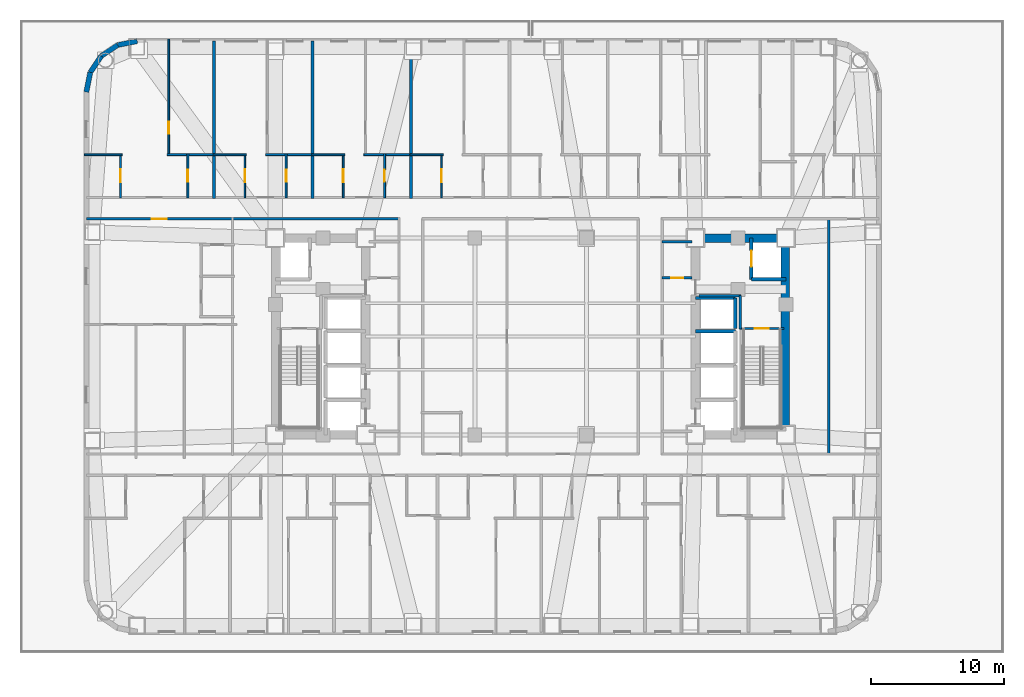
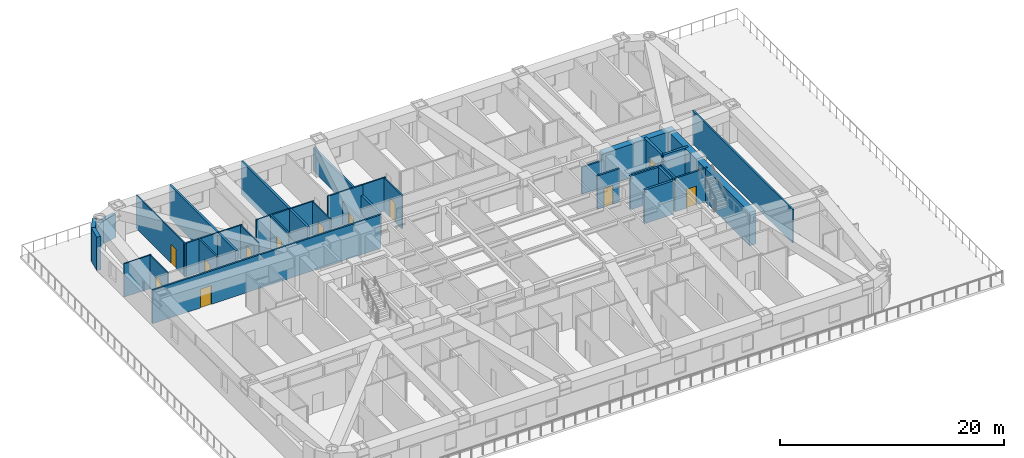
# One storey, part 7 of 15: 36 walls, 12 doors, 12 openings.
"""IFC4 building model written with IfcOpenShell, lengths in metres."""

from ifc_helpers import new_model, si_unit, direction, frame, frame_2d, origin, place, context, subcontext, project, spatial, rectangle, extrude, material, layer, layer_set, type_object, element, fill, save


model = new_model("IFC4")

# Units and contexts
model_context = context("Model", 3, precision=1e-05, world=origin(), true_north=direction((0.0, 1.0)))
body_context = subcontext(model_context, "Body", "Model", "MODEL_VIEW")
ifc_project = project(units=[si_unit("LENGTHUNIT", "METRE"), si_unit("AREAUNIT", "SQUARE_METRE"), si_unit("VOLUMEUNIT", "CUBIC_METRE"), si_unit("PLANEANGLEUNIT", "RADIAN"), si_unit("MASSUNIT", "GRAM", prefix="KILO")], contexts=[model_context])

# Site, building, storey
site_placement = place(None, origin())
site = spatial("IfcSite", under=ifc_project, at=site_placement, CompositionType="ELEMENT")
building_placement = place(site_placement, origin())
building = spatial("IfcBuilding", under=site, at=building_placement, Name="Voryun Gate Residences", CompositionType="ELEMENT")
storey_placement = place(building_placement, frame((0.0, 0.0, 26.0)))
storey = spatial("IfcBuildingStorey", under=building, at=storey_placement, Name="L05", CompositionType="ELEMENT", Elevation=26.0)

# Walls
ifc_material_1 = material(Name="Concrete C60/75", Category="concrete")
ifc_layer_1 = layer(ifc_material_1, 0.64990234375, Name="CW_CORE_650")
ifc_layer_set_1 = layer_set([ifc_layer_1], Name="Concrete C60/75")
wall_type_1 = type_object("IfcWallType", Name="CW_CORE_650", PredefinedType="SHEAR", material=ifc_layer_set_1)
wall_1_placement = place(storey_placement, frame((12.074951171875, 7.39990234375, 0.0), z_axis=(0.0, 0.0, 1.0), x_axis=(1.0, 0.0, 0.0)))
element("IfcWall", 1, at=wall_1_placement, inside=storey, type_object=wall_type_1, Name="L05 Core shear wall CW-L05-EN", PredefinedType="SHEAR", context=body_context, shape_type="SweptSolid", body=[
    extrude(rectangle(XDim=7.449951171875, YDim=0.64990234375, at=frame_2d((3.72509765625, 0.0))), origin(), (0.0, 0.0, 1.0), 3.64990234375),
])
wall_2_placement = place(storey_placement, frame((19.14501953125, -7.39990234375, 0.0), z_axis=(0.0, 0.0, 1.0), x_axis=(0.0, 1.0, 0.0)))
element("IfcWall", 2, at=wall_2_placement, inside=storey, type_object=wall_type_1, Name="L05 Core shear wall CW-L05-EE", PredefinedType="SHEAR", context=body_context, shape_type="SweptSolid", body=[
    extrude(rectangle(XDim=14.7998046875, YDim=0.64990234375, at=frame_2d((7.39990234375, 0.0))), origin(), (0.0, 0.0, 1.0), 3.64990234375),
])

# Wall, opening, door
ifc_material_2 = material(Name="Gypsum acoustic fireboard")
ifc_layer_2 = layer(ifc_material_2, 0.179931640625, Name="W_CORR_RATED_180")
ifc_layer_set_2 = layer_set([ifc_layer_2], Name="Gypsum acoustic fireboard")
wall_type_2 = type_object("IfcWallType", Name="W_CORR_RATED_180", PredefinedType="PARTITIONING", material=ifc_layer_set_2)
wall_3_placement = place(storey_placement, frame((15.699951171875, 0.60009765625, 0.0), z_axis=(0.0, 0.0, 1.0), x_axis=(1.0, 0.0, 0.0)))
wall_3 = element("IfcWall", 3, at=wall_3_placement, inside=storey, type_object=wall_type_2, Name="Partition wall WP-L05-STV-E", PredefinedType="PARTITIONING", context=body_context, shape_type="SweptSolid", body=[
    extrude(rectangle(XDim=3.360107421875, YDim=0.179931640625, at=frame_2d((1.68017578125, 0.0))), origin(), (0.0, 0.0, 1.0), 3.64990234375),
])
opening_1_placement = place(wall_3_placement, frame((1.155029296875, 0.0, 0.0)))
opening_1 = element("IfcOpeningElement", 4, at=opening_1_placement, cuts=wall_3, Name="Opening D-FD60-1", PredefinedType="OPENING", context=body_context, shape_type="SweptSolid", body=[
    extrude(rectangle(XDim=1.050048828125, YDim=2.050048828125, at=frame_2d((0.52490234375, 1.02490234375))), frame((0.0, 0.099853515625, 0.0), z_axis=(0.0, -1.0, 0.0), x_axis=(1.0, 0.0, 0.0)), (0.0, 0.0, 1.0), 0.199951171875),
])
ifc_material_3 = material(Name="Painted steel fire door", Category="steel")
door_type_1 = type_object("IfcDoorType", Name="DR_FD60_STAIR_1050", OperationType="NOTDEFINED", PredefinedType="DOOR", material=ifc_material_3)
door_1_placement = place(opening_1_placement, origin())
door_1 = element("IfcDoor", 5, at=door_1_placement, inside=storey, type_object=door_type_1, Name="Door DR-L05-ST-E", OperationType="SINGLE_SWING_RIGHT", OverallHeight=2.050048828125, OverallWidth=1.050048828125, PredefinedType="DOOR", context=body_context, shape_type="SweptSolid", body=[
    extrude(rectangle(XDim=1.050048828125, YDim=2.050048828125, at=frame_2d((0.52490234375, 1.02490234375))), frame((0.0, 0.02490234375, 0.0), z_axis=(0.0, -1.0, 0.0), x_axis=(1.0, 0.0, 0.0)), (0.0, 0.0, 1.0), 0.050048828125),
])
fill(opening_1, door_1)

# Wall
wall_4_placement = place(storey_placement, frame((9.8798828125, 7.1201171875, 0.0), z_axis=(0.0, 0.0, 1.0), x_axis=(1.0, 0.0, 0.0)))
element("IfcWall", 6, at=wall_4_placement, inside=storey, type_object=wall_type_2, Name="Partition wall WP-L05-PLBN-E", PredefinedType="PARTITIONING", context=body_context, shape_type="SweptSolid", body=[
    extrude(rectangle(XDim=2.27001953125, YDim=0.179931640625, at=frame_2d((1.135009765625, 0.0))), origin(), (0.0, 0.0, 1.0), 2.93994140625),
])

# Wall, opening, door
wall_5_placement = place(storey_placement, frame((-33.409912109375, 8.840087890625, 0.0), z_axis=(0.0, 0.0, 1.0), x_axis=(1.0, 0.0, 0.0)))
wall_5 = element("IfcWall", 7, at=wall_5_placement, inside=storey, type_object=wall_type_2, Name="Partition wall WP-L05-CWING-WN", PredefinedType="PARTITIONING", context=body_context, shape_type="SweptSolid", body=[
    extrude(rectangle(XDim=23.530029296875, YDim=0.179931640625, at=frame_2d((11.76513671875, 0.0))), origin(), (0.0, 0.0, 1.0), 3.64990234375),
])
opening_2_placement = place(wall_5_placement, frame((4.91455078125, 0.0, 0.0)))
opening_2 = element("IfcOpeningElement", 8, at=opening_2_placement, cuts=wall_5, Name="Opening D-UNIT-1", PredefinedType="OPENING", context=body_context, shape_type="SweptSolid", body=[
    extrude(rectangle(XDim=1.14990234375, YDim=2.050048828125, at=frame_2d((0.574951171875, 1.02490234375))), frame((0.0, 0.099853515625, 0.0), z_axis=(0.0, -1.0, 0.0), x_axis=(1.0, 0.0, 0.0)), (0.0, 0.0, 1.0), 0.199951171875),
])
ifc_material_4 = material(Name="Armoured timber-clad fire door", Category="wood")
door_type_2 = type_object("IfcDoorType", Name="DR_UNIT_ENTRY_1150", OperationType="NOTDEFINED", PredefinedType="DOOR", material=ifc_material_4)
door_2_placement = place(opening_2_placement, origin())
door_2 = element("IfcDoor", 9, at=door_2_placement, inside=storey, type_object=door_type_2, Name="Door DR-L05-WE1N", OperationType="SINGLE_SWING_LEFT", OverallHeight=2.050048828125, OverallWidth=1.14990234375, PredefinedType="DOOR", context=body_context, shape_type="SweptSolid", body=[
    extrude(rectangle(XDim=1.14990234375, YDim=2.050048828125, at=frame_2d((0.574951171875, 1.02490234375))), frame((0.0, 0.02490234375, 0.0), z_axis=(0.0, -1.0, 0.0), x_axis=(1.0, 0.0, 0.0)), (0.0, 0.0, 1.0), 0.050048828125),
])
fill(opening_2, door_2)

# Walls
wall_6_placement = place(storey_placement, frame((22.419921875, -8.929931640625, 0.0), z_axis=(0.0, 0.0, 1.0), x_axis=(0.0, 1.0, 0.0)))
element("IfcWall", 10, at=wall_6_placement, inside=storey, type_object=wall_type_2, Name="Partition wall WP-L05-EEND", PredefinedType="PARTITIONING", context=body_context, shape_type="SweptSolid", body=[
    extrude(rectangle(XDim=17.85986328125, YDim=0.179931640625, at=frame_2d((8.929931640625, 0.0))), origin(), (0.0, 0.0, 1.0), 3.64990234375),
])
ifc_material_5 = material(Name="Granite masonry", Category="masonry")
ifc_layer_3 = layer(ifc_material_5, 0.3798828125, Name="W_EXT_GRANITE_380")
ifc_layer_set_3 = layer_set([ifc_layer_3], Name="Granite masonry")
wall_type_3 = type_object("IfcWallType", Name="W_EXT_GRANITE_380", PredefinedType="ELEMENTEDWALL", material=ifc_layer_set_3)
wall_7_placement = place(storey_placement, frame((-33.409912109375, 18.38134765625, 0.0), z_axis=(0.0, 0.0, 1.0), x_axis=(0.195086038585, 0.980786132421, 0.0)))
element("IfcWall", 11, at=wall_7_placement, inside=storey, type_object=wall_type_3, Name="Exterior wall WEXT-L05-07", PredefinedType="ELEMENTEDWALL", context=body_context, shape_type="SweptSolid", body=[
    extrude(rectangle(XDim=1.504150390625, YDim=0.3798828125, at=frame_2d((0.751953125, 0.0))), origin(), (0.0, 0.0, 1.0), 3.64990234375),
])
wall_8_placement = place(storey_placement, frame((-33.116455078125, 19.856689453125, 0.0), z_axis=(0.0, 0.0, 1.0), x_axis=(0.555572577804, 0.831468045563, 0.0)))
element("IfcWall", 12, at=wall_8_placement, inside=storey, type_object=wall_type_3, Name="Exterior wall WEXT-L05-08", PredefinedType="ELEMENTEDWALL", context=body_context, shape_type="SweptSolid", body=[
    extrude(rectangle(XDim=1.48486328125, YDim=0.3798828125, at=frame_2d((0.742431640625, 0.0))), origin(), (0.0, 0.0, 1.0), 3.64990234375),
])
wall_9_placement = place(storey_placement, frame((-32.29150390625, 21.09130859375, 0.0), z_axis=(0.0, 0.0, 1.0), x_axis=(0.831442848281, 0.555610286119, 0.0)))
element("IfcWall", 13, at=wall_9_placement, inside=storey, type_object=wall_type_3, Name="Exterior wall WEXT-L05-09", PredefinedType="ELEMENTEDWALL", context=body_context, shape_type="SweptSolid", body=[
    extrude(rectangle(XDim=1.485107421875, YDim=0.3798828125, at=frame_2d((0.74267578125, 0.0))), origin(), (0.0, 0.0, 1.0), 2.5400390625),
])
wall_10_placement = place(storey_placement, frame((-31.056640625, 21.91650390625, 0.0), z_axis=(0.0, 0.0, 1.0), x_axis=(0.980786132421, 0.195086038585, 0.0)))
element("IfcWall", 14, at=wall_10_placement, inside=storey, type_object=wall_type_3, Name="Exterior wall WEXT-L05-10", PredefinedType="ELEMENTEDWALL", context=body_context, shape_type="SweptSolid", body=[
    extrude(rectangle(XDim=1.504150390625, YDim=0.3798828125, at=frame_2d((0.751953125, 0.0))), origin(), (0.0, 0.0, 1.0), 2.5400390625),
])
ifc_material_6 = material(Name="Concrete C40/50", Category="concrete")
ifc_layer_4 = layer(ifc_material_6, 0.199951171875, Name="W_FF_LOBBY_200")
ifc_layer_set_4 = layer_set([ifc_layer_4], Name="Concrete C40/50")
wall_type_4 = type_object("IfcWallType", Name="W_FF_LOBBY_200", PredefinedType="PARTITIONING", material=ifc_layer_set_4)
wall_11_placement = place(storey_placement, frame((15.760009765625, 0.580078125, 0.0), z_axis=(0.0, 0.0, 1.0), x_axis=(0.0, 1.0, 0.0)))
element("IfcWall", 15, at=wall_11_placement, inside=storey, type_object=wall_type_4, Name="Partition wall WP-L05-FFP0-E", PredefinedType="PARTITIONING", context=body_context, shape_type="SweptSolid", body=[
    extrude(rectangle(XDim=2.52001953125, YDim=0.199951171875, at=frame_2d((1.260009765625, 0.0))), origin(), (0.0, 0.0, 1.0), 3.64990234375),
])
wall_12_placement = place(storey_placement, frame((12.659912109375, 3.06005859375, 0.0), z_axis=(0.0, 0.0, 1.0), x_axis=(1.0, 0.0, 0.0)))
element("IfcWall", 16, at=wall_12_placement, inside=storey, type_object=wall_type_4, Name="Partition wall WP-L05-FFPS-E", PredefinedType="PARTITIONING", context=body_context, shape_type="SweptSolid", body=[
    extrude(rectangle(XDim=3.16015625, YDim=0.199951171875, at=frame_2d((1.580078125, 0.0))), origin(), (0.0, 0.0, 1.0), 3.64990234375),
])

# Wall, opening, door
wall_13_placement = place(storey_placement, frame((9.8798828125, 4.409912109375, 0.0), z_axis=(0.0, 0.0, 1.0), x_axis=(1.0, 0.0, 0.0)))
wall_13 = element("IfcWall", 17, at=wall_13_placement, inside=storey, type_object=wall_type_4, Name="Partition wall WP-L05-CSFLKS-E", PredefinedType="PARTITIONING", context=body_context, shape_type="SweptSolid", body=[
    extrude(rectangle(XDim=2.27001953125, YDim=0.199951171875, at=frame_2d((1.135009765625, 0.0))), origin(), (0.0, 0.0, 1.0), 3.64990234375),
])
opening_3_placement = place(wall_13_placement, frame((0.68505859375, 0.0, 0.0)))
opening_3 = element("IfcOpeningElement", 18, at=opening_3_placement, cuts=wall_13, Name="Opening D-FD60-4", PredefinedType="OPENING", context=body_context, shape_type="SweptSolid", body=[
    extrude(rectangle(XDim=0.89990234375, YDim=2.050048828125, at=frame_2d((0.449951171875, 1.02490234375))), frame((0.0, 0.110107421875, 0.0), z_axis=(0.0, -1.0, 0.0), x_axis=(1.0, 0.0, 0.0)), (0.0, 0.0, 1.0), 0.219970703125),
])
ifc_material_7 = material(Name="Painted steel fire door", Category="steel")
door_type_3 = type_object("IfcDoorType", Name="DR_FD60_RISER_900", OperationType="NOTDEFINED", PredefinedType="DOOR", material=ifc_material_7)
door_3_placement = place(opening_3_placement, origin())
door_3 = element("IfcDoor", 19, at=door_3_placement, inside=storey, type_object=door_type_3, Name="Door DR-L05-CSFLK-E", OperationType="SINGLE_SWING_RIGHT", OverallHeight=2.050048828125, OverallWidth=0.89990234375, PredefinedType="DOOR", context=body_context, shape_type="SweptSolid", body=[
    extrude(rectangle(XDim=0.89990234375, YDim=2.050048828125, at=frame_2d((0.449951171875, 1.02490234375))), frame((0.0, 0.02490234375, 0.0), z_axis=(0.0, -1.0, 0.0), x_axis=(1.0, 0.0, 0.0)), (0.0, 0.0, 1.0), 0.050048828125),
])
fill(opening_3, door_3)

# Walls
ifc_material_8 = material(Name="Concrete C40/50", Category="concrete")
ifc_layer_5 = layer(ifc_material_8, 0.219970703125, Name="W_PARTY_ACOUSTIC_220")
ifc_layer_set_5 = layer_set([ifc_layer_5], Name="Concrete C40/50")
wall_type_5 = type_object("IfcWallType", Name="W_PARTY_ACOUSTIC_220", PredefinedType="PARTITIONING", material=ifc_layer_set_5)
for number, where, z_axis, x_axis, name in (
    (20, (-23.800048828125, 10.3701171875, 0.0), (0.0, 0.0, 1.0), (0.0, 1.0, 0.0), "Partition wall WP-L05-NPTY-1"),
    (21, (-16.39990234375, 10.3701171875, 0.0), (0.0, 0.0, 1.0), (0.0, 1.0, 0.0), "Partition wall WP-L05-NPTY-2"),
):
    element("IfcWall", number, at=place(storey_placement, frame(where, z_axis=z_axis, x_axis=x_axis)), inside=storey, type_object=wall_type_5, Name=name, PredefinedType="PARTITIONING", context=body_context, shape_type="SweptSolid", body=[
        extrude(rectangle(XDim=11.83984375, YDim=0.219970703125, at=frame_2d((5.919921875, 0.0))), origin(), (0.0, 0.0, 1.0), 3.64990234375),
    ])
wall_14_placement = place(storey_placement, frame((-9.0, 10.3701171875, 0.0), z_axis=(0.0, 0.0, 1.0), x_axis=(0.0, 1.0, 0.0)))
element("IfcWall", 22, at=wall_14_placement, inside=storey, type_object=wall_type_5, Name="Partition wall WP-L05-NPTY-3", PredefinedType="PARTITIONING", context=body_context, shape_type="SweptSolid", body=[
    extrude(rectangle(XDim=11.83984375, YDim=0.219970703125, at=frame_2d((5.919921875, 0.0))), origin(), (0.0, 0.0, 1.0), 2.5400390625),
])
ifc_material_9 = material(Name="Concrete C50/60", Category="concrete")
ifc_layer_6 = layer(ifc_material_9, 0.25, Name="W_SHAFT_RC250")
ifc_layer_set_6 = layer_set([ifc_layer_6], Name="Concrete C50/60")
wall_type_6 = type_object("IfcWallType", Name="W_SHAFT_RC250", PredefinedType="SOLIDWALL", material=ifc_layer_set_6)
wall_15_placement = place(storey_placement, frame((16.60009765625, 4.300048828125, 0.0), z_axis=(0.0, 0.0, 1.0), x_axis=(1.0, 0.0, 0.0)))
element("IfcWall", 23, at=wall_15_placement, inside=storey, type_object=wall_type_6, Name="Lift shaft wall WSH-L05-EL-FF-E1-S", PredefinedType="SOLIDWALL", context=body_context, shape_type="SweptSolid", body=[
    extrude(rectangle(XDim=2.599853515625, YDim=0.25, at=frame_2d((1.2998046875, 0.0))), origin(), (0.0, 0.0, 1.0), 3.64990234375),
])

# Wall, opening, door
wall_16_placement = place(storey_placement, frame((16.60009765625, 7.39990234375, 0.0), z_axis=(0.0, 0.0, 1.0), x_axis=(0.0, -1.0, 0.0)))
wall_16 = element("IfcWall", 24, at=wall_16_placement, inside=storey, type_object=wall_type_6, Name="Lift shaft wall WSH-L05-EL-FF-E1-W", PredefinedType="SOLIDWALL", context=body_context, shape_type="SweptSolid", body=[
    extrude(rectangle(XDim=3.099853515625, YDim=0.25, at=frame_2d((1.5498046875, 0.0))), origin(), (0.0, 0.0, 1.0), 3.64990234375),
])
opening_4_placement = place(wall_16_placement, frame((0.949951171875, 0.0, 0.0)))
opening_4 = element("IfcOpeningElement", 25, at=opening_4_placement, cuts=wall_16, Name="Opening LD1", PredefinedType="OPENING", context=body_context, shape_type="SweptSolid", body=[
    extrude(rectangle(XDim=1.199951171875, YDim=2.050048828125, at=frame_2d((0.60009765625, 1.02490234375))), frame((0.0, 0.135009765625, 0.0), z_axis=(0.0, -1.0, 0.0), x_axis=(1.0, 0.0, 0.0)), (0.0, 0.0, 1.0), 0.27001953125),
])
ifc_material_10 = material(Name="Anodised aluminium", Category="aluminium")
door_type_4 = type_object("IfcDoorType", Name="DR_LD_FF_1200", OperationType="NOTDEFINED", PredefinedType="DOOR", material=ifc_material_10)
door_4_placement = place(opening_4_placement, origin())
door_4 = element("IfcDoor", 26, at=door_4_placement, inside=storey, type_object=door_type_4, Name="Lift EL-FF-E1 sliding landing door L05", OperationType="SLIDING_TO_LEFT", OverallHeight=2.050048828125, OverallWidth=1.199951171875, PredefinedType="DOOR", context=body_context, shape_type="SweptSolid", body=[
    extrude(rectangle(XDim=1.199951171875, YDim=2.050048828125, at=frame_2d((0.60009765625, 1.02490234375))), frame((0.0, 0.02490234375, 0.0), z_axis=(0.0, -1.0, 0.0), x_axis=(1.0, 0.0, 0.0)), (0.0, 0.0, 1.0), 0.050048828125),
])
fill(opening_4, door_4)

# Walls
wall_17_placement = place(storey_placement, frame((15.39990234375, 0.39990234375, 0.0), z_axis=(0.0, 0.0, 1.0), x_axis=(-1.0, 0.0, 0.0)))
element("IfcWall", 27, at=wall_17_placement, inside=storey, type_object=wall_type_6, Name="Lift shaft wall WSH-L05-EL-P6-N", PredefinedType="SOLIDWALL", context=body_context, shape_type="SweptSolid", body=[
    extrude(rectangle(XDim=3.0, YDim=0.25, at=frame_2d((1.5, 0.0))), origin(), (0.0, 0.0, 1.0), 3.64990234375),
])
wall_18_placement = place(storey_placement, frame((15.39990234375, 0.60009765625, 0.0), z_axis=(0.0, 0.0, 1.0), x_axis=(0.0, 1.0, 0.0)))
element("IfcWall", 28, at=wall_18_placement, inside=storey, type_object=wall_type_6, Name="Lift shaft wall WSH-L05-EL-P8-E", PredefinedType="SOLIDWALL", context=body_context, shape_type="SweptSolid", body=[
    extrude(rectangle(XDim=2.2998046875, YDim=0.25, at=frame_2d((1.14990234375, 0.0))), origin(), (0.0, 0.0, 1.0), 3.64990234375),
])
wall_19_placement = place(storey_placement, frame((15.39990234375, 2.89990234375, 0.0), z_axis=(0.0, 0.0, 1.0), x_axis=(-1.0, 0.0, 0.0)))
element("IfcWall", 29, at=wall_19_placement, inside=storey, type_object=wall_type_6, Name="Lift shaft wall WSH-L05-EL-P8-N", PredefinedType="SOLIDWALL", context=body_context, shape_type="SweptSolid", body=[
    extrude(rectangle(XDim=3.0, YDim=0.25, at=frame_2d((1.5, 0.0))), origin(), (0.0, 0.0, 1.0), 3.64990234375),
])

# Wall, opening, door
ifc_material_11 = material(Name="Gypsum acoustic partition")
ifc_layer_7 = layer(ifc_material_11, 0.125, Name="W_UNIT_PART_125")
ifc_layer_set_7 = layer_set([ifc_layer_7], Name="Gypsum acoustic partition")
wall_type_7 = type_object("IfcWallType", Name="W_UNIT_PART_125", PredefinedType="PARTITIONING", material=ifc_layer_set_7)
wall_20_placement = place(storey_placement, frame((-27.2099609375, 13.590087890625, 0.0), z_axis=(0.0, 0.0, 1.0), x_axis=(0.0, 1.0, 0.0)))
wall_20 = element("IfcWall", 30, at=wall_20_placement, inside=storey, type_object=wall_type_7, Name="Partition wall WP-L05-N1-OVR", PredefinedType="PARTITIONING", context=body_context, shape_type="SweptSolid", body=[
    extrude(rectangle(XDim=8.77001953125, YDim=0.125, at=frame_2d((4.385009765625, 0.0))), origin(), (0.0, 0.0, 1.0), 3.64990234375),
])
opening_5_placement = place(wall_20_placement, frame((1.65478515625, 0.0, 0.0)))
opening_5 = element("IfcOpeningElement", 31, at=opening_5_placement, cuts=wall_20, Name="Opening D-INT-2", PredefinedType="OPENING", context=body_context, shape_type="SweptSolid", body=[
    extrude(rectangle(XDim=0.89990234375, YDim=2.050048828125, at=frame_2d((0.449951171875, 1.02490234375))), frame((0.0, 0.072509765625, 0.0), z_axis=(0.0, -1.0, 0.0), x_axis=(1.0, 0.0, 0.0)), (0.0, 0.0, 1.0), 0.14501953125),
])
ifc_material_12 = material(Name="Architectural oak veneer")
door_type_5 = type_object("IfcDoorType", Name="DR_INT_BATH_900", OperationType="NOTDEFINED", PredefinedType="DOOR", material=ifc_material_12)
door_5_placement = place(opening_5_placement, origin())
door_5 = element("IfcDoor", 32, at=door_5_placement, inside=storey, type_object=door_type_5, Name="Door DR-L05-N1-DMB", OperationType="SINGLE_SWING_RIGHT", OverallHeight=2.050048828125, OverallWidth=0.89990234375, PredefinedType="DOOR", context=body_context, shape_type="SweptSolid", body=[
    extrude(rectangle(XDim=0.89990234375, YDim=2.050048828125, at=frame_2d((0.449951171875, 1.02490234375))), frame((0.0, 0.02490234375, 0.0), z_axis=(0.0, -1.0, 0.0), x_axis=(1.0, 0.0, 0.0)), (0.0, 0.0, 1.0), 0.050048828125),
])
fill(opening_5, door_5)

wall_21_placement = place(storey_placement, frame((-30.8369140625, 10.429931640625, 0.0), z_axis=(0.0, 0.0, 1.0), x_axis=(0.0, 1.0, 0.0)))
wall_21 = element("IfcWall", 33, at=wall_21_placement, inside=storey, type_object=wall_type_7, Name="Partition wall WP-L05-N1-IVK", PredefinedType="PARTITIONING", context=body_context, shape_type="SweptSolid", body=[
    extrude(rectangle(XDim=3.320068359375, YDim=0.125, at=frame_2d((1.66015625, 0.0))), origin(), (0.0, 0.0, 1.0), 3.64990234375),
])
opening_6_placement = place(wall_21_placement, frame((1.18505859375, 0.0, 0.0)))
opening_6 = element("IfcOpeningElement", 34, at=opening_6_placement, cuts=wall_21, Name="Opening D-INT-1", PredefinedType="OPENING", context=body_context, shape_type="SweptSolid", body=[
    extrude(rectangle(XDim=0.949951171875, YDim=2.050048828125, at=frame_2d((0.47509765625, 1.02490234375))), frame((0.0, 0.072509765625, 0.0), z_axis=(0.0, -1.0, 0.0), x_axis=(1.0, 0.0, 0.0)), (0.0, 0.0, 1.0), 0.14501953125),
])
ifc_material_13 = material(Name="Architectural oak veneer")
door_type_6 = type_object("IfcDoorType", Name="DR_INT_ROOM_950", OperationType="NOTDEFINED", PredefinedType="DOOR", material=ifc_material_13)
door_6_placement = place(opening_6_placement, origin())
door_6 = element("IfcDoor", 35, at=door_6_placement, inside=storey, type_object=door_type_6, Name="Door DR-L05-N1-DK", OperationType="SINGLE_SWING_LEFT", OverallHeight=2.050048828125, OverallWidth=0.949951171875, PredefinedType="DOOR", context=body_context, shape_type="SweptSolid", body=[
    extrude(rectangle(XDim=0.949951171875, YDim=2.050048828125, at=frame_2d((0.47509765625, 1.02490234375))), frame((0.0, 0.02490234375, 0.0), z_axis=(0.0, -1.0, 0.0), x_axis=(1.0, 0.0, 0.0)), (0.0, 0.0, 1.0), 0.050048828125),
])
fill(opening_6, door_6)

# Wall
wall_22_placement = place(storey_placement, frame((-33.56005859375, 13.669921875, 0.0), z_axis=(0.0, 0.0, 1.0), x_axis=(1.0, 0.0, 0.0)))
element("IfcWall", 36, at=wall_22_placement, inside=storey, type_object=wall_type_7, Name="Partition wall WP-L05-N1-HZK", PredefinedType="PARTITIONING", context=body_context, shape_type="SweptSolid", body=[
    extrude(rectangle(XDim=2.843017578125, YDim=0.125, at=frame_2d((1.42138671875, 0.0))), origin(), (0.0, 0.0, 1.0), 3.64990234375),
])

# Wall, opening, door
wall_23_placement = place(storey_placement, frame((-21.489990234375, 10.429931640625, 0.0), z_axis=(0.0, 0.0, 1.0), x_axis=(0.0, 1.0, 0.0)))
wall_23 = element("IfcWall", 37, at=wall_23_placement, inside=storey, type_object=wall_type_7, Name="Partition wall WP-L05-N2-IVK", PredefinedType="PARTITIONING", context=body_context, shape_type="SweptSolid", body=[
    extrude(rectangle(XDim=3.320068359375, YDim=0.125, at=frame_2d((1.66015625, 0.0))), origin(), (0.0, 0.0, 1.0), 3.64990234375),
])
opening_7_placement = place(wall_23_placement, frame((1.18505859375, 0.0, 0.0)))
opening_7 = element("IfcOpeningElement", 38, at=opening_7_placement, cuts=wall_23, Name="Opening D-INT-1", PredefinedType="OPENING", context=body_context, shape_type="SweptSolid", body=[
    extrude(rectangle(XDim=0.949951171875, YDim=2.050048828125, at=frame_2d((0.47509765625, 1.02490234375))), frame((0.0, 0.072509765625, 0.0), z_axis=(0.0, -1.0, 0.0), x_axis=(1.0, 0.0, 0.0)), (0.0, 0.0, 1.0), 0.14501953125),
])
door_7_placement = place(opening_7_placement, origin())
door_7 = element("IfcDoor", 39, at=door_7_placement, inside=storey, type_object=door_type_6, Name="Door DR-L05-N2-DK", OperationType="SINGLE_SWING_LEFT", OverallHeight=2.050048828125, OverallWidth=0.949951171875, PredefinedType="DOOR", context=body_context, shape_type="SweptSolid", body=[
    extrude(rectangle(XDim=0.949951171875, YDim=2.050048828125, at=frame_2d((0.47509765625, 1.02490234375))), frame((0.0, 0.02490234375, 0.0), z_axis=(0.0, -1.0, 0.0), x_axis=(1.0, 0.0, 0.0)), (0.0, 0.0, 1.0), 0.050048828125),
])
fill(opening_7, door_7)

# Wall
wall_24_placement = place(storey_placement, frame((-23.875, 13.669921875, 0.0), z_axis=(0.0, 0.0, 1.0), x_axis=(1.0, 0.0, 0.0)))
element("IfcWall", 40, at=wall_24_placement, inside=storey, type_object=wall_type_7, Name="Partition wall WP-L05-N2-HZK", PredefinedType="PARTITIONING", context=body_context, shape_type="SweptSolid", body=[
    extrude(rectangle(XDim=2.5048828125, YDim=0.125, at=frame_2d((1.25244140625, 0.0))), origin(), (0.0, 0.0, 1.0), 3.64990234375),
])

# Wall, opening, door
wall_25_placement = place(storey_placement, frame((-14.090087890625, 10.429931640625, 0.0), z_axis=(0.0, 0.0, 1.0), x_axis=(0.0, 1.0, 0.0)))
wall_25 = element("IfcWall", 41, at=wall_25_placement, inside=storey, type_object=wall_type_7, Name="Partition wall WP-L05-N3-IVK", PredefinedType="PARTITIONING", context=body_context, shape_type="SweptSolid", body=[
    extrude(rectangle(XDim=3.320068359375, YDim=0.125, at=frame_2d((1.66015625, 0.0))), origin(), (0.0, 0.0, 1.0), 3.64990234375),
])
opening_8_placement = place(wall_25_placement, frame((1.18505859375, 0.0, 0.0)))
opening_8 = element("IfcOpeningElement", 42, at=opening_8_placement, cuts=wall_25, Name="Opening D-INT-1", PredefinedType="OPENING", context=body_context, shape_type="SweptSolid", body=[
    extrude(rectangle(XDim=0.949951171875, YDim=2.050048828125, at=frame_2d((0.47509765625, 1.02490234375))), frame((0.0, 0.072509765625, 0.0), z_axis=(0.0, -1.0, 0.0), x_axis=(1.0, 0.0, 0.0)), (0.0, 0.0, 1.0), 0.14501953125),
])
door_8_placement = place(opening_8_placement, origin())
door_8 = element("IfcDoor", 43, at=door_8_placement, inside=storey, type_object=door_type_6, Name="Door DR-L05-N3-DK", OperationType="SINGLE_SWING_LEFT", OverallHeight=2.050048828125, OverallWidth=0.949951171875, PredefinedType="DOOR", context=body_context, shape_type="SweptSolid", body=[
    extrude(rectangle(XDim=0.949951171875, YDim=2.050048828125, at=frame_2d((0.47509765625, 1.02490234375))), frame((0.0, 0.02490234375, 0.0), z_axis=(0.0, -1.0, 0.0), x_axis=(1.0, 0.0, 0.0)), (0.0, 0.0, 1.0), 0.050048828125),
])
fill(opening_8, door_8)

# Wall
wall_26_placement = place(storey_placement, frame((-16.47509765625, 13.669921875, 0.0), z_axis=(0.0, 0.0, 1.0), x_axis=(1.0, 0.0, 0.0)))
element("IfcWall", 44, at=wall_26_placement, inside=storey, type_object=wall_type_7, Name="Partition wall WP-L05-N3-HZK", PredefinedType="PARTITIONING", context=body_context, shape_type="SweptSolid", body=[
    extrude(rectangle(XDim=2.505126953125, YDim=0.125, at=frame_2d((1.25244140625, 0.0))), origin(), (0.0, 0.0, 1.0), 3.64990234375),
])

# Wall, opening, door
wall_27_placement = place(storey_placement, frame((-6.68994140625, 10.429931640625, 0.0), z_axis=(0.0, 0.0, 1.0), x_axis=(0.0, 1.0, 0.0)))
wall_27 = element("IfcWall", 45, at=wall_27_placement, inside=storey, type_object=wall_type_7, Name="Partition wall WP-L05-N4-IVK", PredefinedType="PARTITIONING", context=body_context, shape_type="SweptSolid", body=[
    extrude(rectangle(XDim=3.320068359375, YDim=0.125, at=frame_2d((1.66015625, 0.0))), origin(), (0.0, 0.0, 1.0), 3.64990234375),
])
opening_9_placement = place(wall_27_placement, frame((1.18505859375, 0.0, 0.0)))
opening_9 = element("IfcOpeningElement", 46, at=opening_9_placement, cuts=wall_27, Name="Opening D-INT-1", PredefinedType="OPENING", context=body_context, shape_type="SweptSolid", body=[
    extrude(rectangle(XDim=0.949951171875, YDim=2.050048828125, at=frame_2d((0.47509765625, 1.02490234375))), frame((0.0, 0.072509765625, 0.0), z_axis=(0.0, -1.0, 0.0), x_axis=(1.0, 0.0, 0.0)), (0.0, 0.0, 1.0), 0.14501953125),
])
door_9_placement = place(opening_9_placement, origin())
door_9 = element("IfcDoor", 47, at=door_9_placement, inside=storey, type_object=door_type_6, Name="Door DR-L05-N4-DK", OperationType="SINGLE_SWING_LEFT", OverallHeight=2.050048828125, OverallWidth=0.949951171875, PredefinedType="DOOR", context=body_context, shape_type="SweptSolid", body=[
    extrude(rectangle(XDim=0.949951171875, YDim=2.050048828125, at=frame_2d((0.47509765625, 1.02490234375))), frame((0.0, 0.02490234375, 0.0), z_axis=(0.0, -1.0, 0.0), x_axis=(1.0, 0.0, 0.0)), (0.0, 0.0, 1.0), 0.050048828125),
])
fill(opening_9, door_9)

# Walls
wall_28_placement = place(storey_placement, frame((-9.074951171875, 13.669921875, 0.0), z_axis=(0.0, 0.0, 1.0), x_axis=(1.0, 0.0, 0.0)))
element("IfcWall", 48, at=wall_28_placement, inside=storey, type_object=wall_type_7, Name="Partition wall WP-L05-N4-HZK", PredefinedType="PARTITIONING", context=body_context, shape_type="SweptSolid", body=[
    extrude(rectangle(XDim=2.5048828125, YDim=0.125, at=frame_2d((1.25244140625, 0.0))), origin(), (0.0, 0.0, 1.0), 3.64990234375),
])
ifc_material_14 = material(Name="Gypsum moisture-resistant partition")
ifc_layer_8 = layer(ifc_material_14, 0.14990234375, Name="W_WET_PLUMB_150")
ifc_layer_set_8 = layer_set([ifc_layer_8], Name="Gypsum moisture-resistant partition")
wall_type_8 = type_object("IfcWallType", Name="W_WET_PLUMB_150", PredefinedType="PLUMBINGWALL", material=ifc_layer_set_8)
wall_29_placement = place(storey_placement, frame((-27.330078125, 13.669921875, 0.0), z_axis=(0.0, 0.0, 1.0), x_axis=(1.0, 0.0, 0.0)))
element("IfcWall", 49, at=wall_29_placement, inside=storey, type_object=wall_type_8, Name="Partition wall WP-L05-N1-HZB", PredefinedType="PLUMBINGWALL", context=body_context, shape_type="SweptSolid", body=[
    extrude(rectangle(XDim=3.60498046875, YDim=0.14990234375, at=frame_2d((1.802490234375, 0.0))), origin(), (0.0, 0.0, 1.0), 3.64990234375),
])

# Wall, opening, door
wall_30_placement = place(storey_placement, frame((-25.780029296875, 10.429931640625, 0.0), z_axis=(0.0, 0.0, 1.0), x_axis=(0.0, 1.0, 0.0)))
wall_30 = element("IfcWall", 50, at=wall_30_placement, inside=storey, type_object=wall_type_8, Name="Partition wall WP-L05-N1-IVB", PredefinedType="PLUMBINGWALL", context=body_context, shape_type="SweptSolid", body=[
    extrude(rectangle(XDim=3.320068359375, YDim=0.14990234375, at=frame_2d((1.66015625, 0.0))), origin(), (0.0, 0.0, 1.0), 3.64990234375),
])
opening_10_placement = place(wall_30_placement, frame((1.2099609375, 0.0, 0.0)))
opening_10 = element("IfcOpeningElement", 51, at=opening_10_placement, cuts=wall_30, Name="Opening D-INT-2", PredefinedType="OPENING", context=body_context, shape_type="SweptSolid", body=[
    extrude(rectangle(XDim=0.89990234375, YDim=2.050048828125, at=frame_2d((0.449951171875, 1.02490234375))), frame((0.0, 0.0849609375, 0.0), z_axis=(0.0, -1.0, 0.0), x_axis=(1.0, 0.0, 0.0)), (0.0, 0.0, 1.0), 0.169921875),
])
door_10_placement = place(opening_10_placement, origin())
door_10 = element("IfcDoor", 52, at=door_10_placement, inside=storey, type_object=door_type_5, Name="Door DR-L05-N1-DB", OperationType="SINGLE_SWING_RIGHT", OverallHeight=2.050048828125, OverallWidth=0.89990234375, PredefinedType="DOOR", context=body_context, shape_type="SweptSolid", body=[
    extrude(rectangle(XDim=0.89990234375, YDim=2.050048828125, at=frame_2d((0.449951171875, 1.02490234375))), frame((0.0, 0.02490234375, 0.0), z_axis=(0.0, -1.0, 0.0), x_axis=(1.0, 0.0, 0.0)), (0.0, 0.0, 1.0), 0.050048828125),
])
fill(opening_10, door_10)

# Wall
wall_31_placement = place(storey_placement, frame((-19.929931640625, 13.669921875, 0.0), z_axis=(0.0, 0.0, 1.0), x_axis=(1.0, 0.0, 0.0)))
element("IfcWall", 53, at=wall_31_placement, inside=storey, type_object=wall_type_8, Name="Partition wall WP-L05-N2-HZB", PredefinedType="PLUMBINGWALL", context=body_context, shape_type="SweptSolid", body=[
    extrude(rectangle(XDim=3.60498046875, YDim=0.14990234375, at=frame_2d((1.802490234375, 0.0))), origin(), (0.0, 0.0, 1.0), 3.64990234375),
])

# Wall, opening, door
wall_32_placement = place(storey_placement, frame((-18.3798828125, 10.429931640625, 0.0), z_axis=(0.0, 0.0, 1.0), x_axis=(0.0, 1.0, 0.0)))
wall_32 = element("IfcWall", 54, at=wall_32_placement, inside=storey, type_object=wall_type_8, Name="Partition wall WP-L05-N2-IVB", PredefinedType="PLUMBINGWALL", context=body_context, shape_type="SweptSolid", body=[
    extrude(rectangle(XDim=3.320068359375, YDim=0.14990234375, at=frame_2d((1.66015625, 0.0))), origin(), (0.0, 0.0, 1.0), 3.64990234375),
])
opening_11_placement = place(wall_32_placement, frame((1.2099609375, 0.0, 0.0)))
opening_11 = element("IfcOpeningElement", 55, at=opening_11_placement, cuts=wall_32, Name="Opening D-INT-2", PredefinedType="OPENING", context=body_context, shape_type="SweptSolid", body=[
    extrude(rectangle(XDim=0.89990234375, YDim=2.050048828125, at=frame_2d((0.449951171875, 1.02490234375))), frame((0.0, 0.0849609375, 0.0), z_axis=(0.0, -1.0, 0.0), x_axis=(1.0, 0.0, 0.0)), (0.0, 0.0, 1.0), 0.169921875),
])
door_11_placement = place(opening_11_placement, origin())
door_11 = element("IfcDoor", 56, at=door_11_placement, inside=storey, type_object=door_type_5, Name="Door DR-L05-N2-DB", OperationType="SINGLE_SWING_RIGHT", OverallHeight=2.050048828125, OverallWidth=0.89990234375, PredefinedType="DOOR", context=body_context, shape_type="SweptSolid", body=[
    extrude(rectangle(XDim=0.89990234375, YDim=2.050048828125, at=frame_2d((0.449951171875, 1.02490234375))), frame((0.0, 0.02490234375, 0.0), z_axis=(0.0, -1.0, 0.0), x_axis=(1.0, 0.0, 0.0)), (0.0, 0.0, 1.0), 0.050048828125),
])
fill(opening_11, door_11)

# Wall
wall_33_placement = place(storey_placement, frame((-12.530029296875, 13.669921875, 0.0), z_axis=(0.0, 0.0, 1.0), x_axis=(1.0, 0.0, 0.0)))
element("IfcWall", 57, at=wall_33_placement, inside=storey, type_object=wall_type_8, Name="Partition wall WP-L05-N3-HZB", PredefinedType="PLUMBINGWALL", context=body_context, shape_type="SweptSolid", body=[
    extrude(rectangle(XDim=3.60498046875, YDim=0.14990234375, at=frame_2d((1.802490234375, 0.0))), origin(), (0.0, 0.0, 1.0), 3.64990234375),
])

# Wall, opening, door
wall_34_placement = place(storey_placement, frame((-10.97998046875, 10.429931640625, 0.0), z_axis=(0.0, 0.0, 1.0), x_axis=(0.0, 1.0, 0.0)))
wall_34 = element("IfcWall", 58, at=wall_34_placement, inside=storey, type_object=wall_type_8, Name="Partition wall WP-L05-N3-IVB", PredefinedType="PLUMBINGWALL", context=body_context, shape_type="SweptSolid", body=[
    extrude(rectangle(XDim=3.320068359375, YDim=0.14990234375, at=frame_2d((1.66015625, 0.0))), origin(), (0.0, 0.0, 1.0), 2.5400390625),
])
opening_12_placement = place(wall_34_placement, frame((1.2099609375, 0.0, 0.0)))
opening_12 = element("IfcOpeningElement", 59, at=opening_12_placement, cuts=wall_34, Name="Opening D-INT-2", PredefinedType="OPENING", context=body_context, shape_type="SweptSolid", body=[
    extrude(rectangle(XDim=0.89990234375, YDim=2.050048828125, at=frame_2d((0.449951171875, 1.02490234375))), frame((0.0, 0.0849609375, 0.0), z_axis=(0.0, -1.0, 0.0), x_axis=(1.0, 0.0, 0.0)), (0.0, 0.0, 1.0), 0.169921875),
])
door_12_placement = place(opening_12_placement, origin())
door_12 = element("IfcDoor", 60, at=door_12_placement, inside=storey, type_object=door_type_5, Name="Door DR-L05-N3-DB", OperationType="SINGLE_SWING_RIGHT", OverallHeight=2.050048828125, OverallWidth=0.89990234375, PredefinedType="DOOR", context=body_context, shape_type="SweptSolid", body=[
    extrude(rectangle(XDim=0.89990234375, YDim=2.050048828125, at=frame_2d((0.449951171875, 1.02490234375))), frame((0.0, 0.02490234375, 0.0), z_axis=(0.0, -1.0, 0.0), x_axis=(1.0, 0.0, 0.0)), (0.0, 0.0, 1.0), 0.050048828125),
])
fill(opening_12, door_12)

save(model, "model.ifc")
